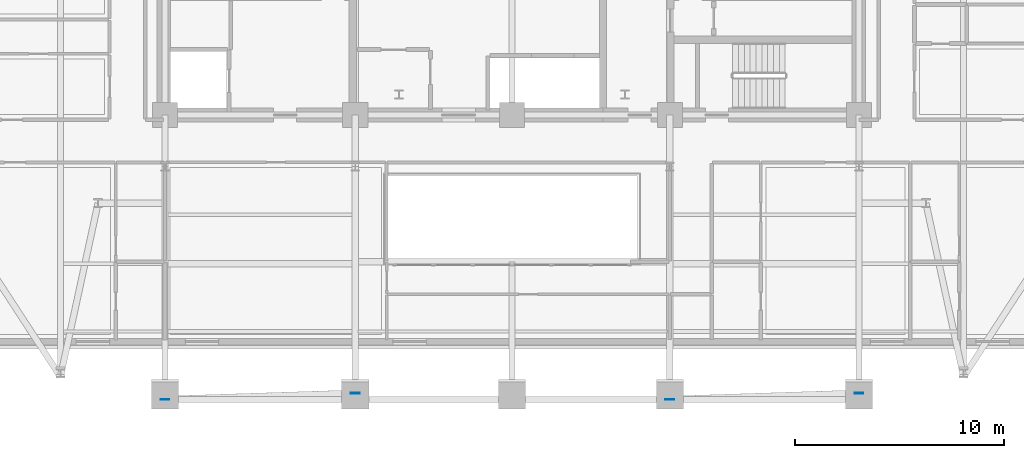
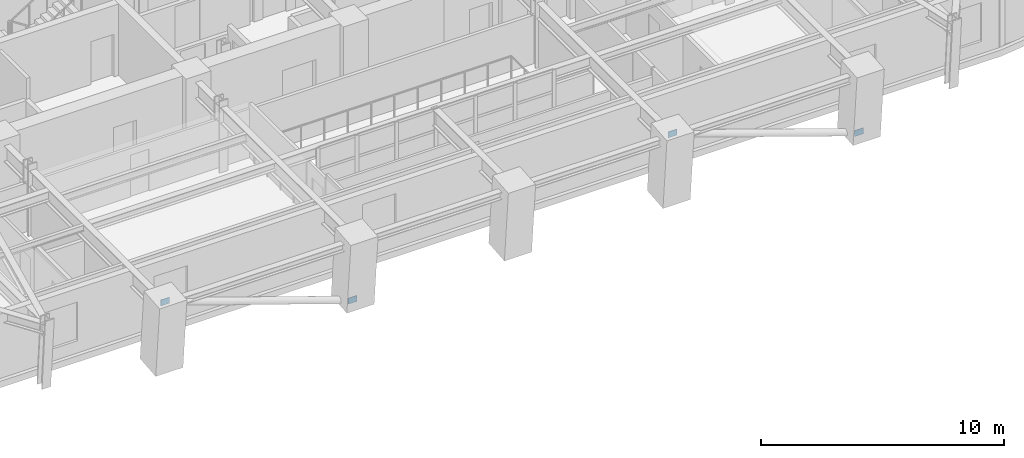
# One storey, part 6 of 14: 4 plates.
"""IFC4 building model written with IfcOpenShell, lengths in metres."""

from ifc_helpers import new_model, si_unit, direction, frame, origin, origin_2d, place, context, subcontext, project, spatial, rectangle, extrude, material, layer, layer_set, type_object, element, save


model = new_model("IFC4")

# Units and contexts
model_context = context("Model", 3, precision=1e-05, world=origin(), true_north=direction((0.0, 1.0)))
body_context = subcontext(model_context, "Body", "Model", "MODEL_VIEW")
ifc_project = project(units=[si_unit("LENGTHUNIT", "METRE"), si_unit("AREAUNIT", "SQUARE_METRE"), si_unit("VOLUMEUNIT", "CUBIC_METRE"), si_unit("PLANEANGLEUNIT", "RADIAN"), si_unit("MASSUNIT", "GRAM", prefix="KILO")], contexts=[model_context])

# Site, building, storey
site_placement = place(None, origin())
site = spatial("IfcSite", under=ifc_project, at=site_placement, CompositionType="ELEMENT")
building_placement = place(site_placement, origin())
building = spatial("IfcBuilding", under=site, at=building_placement, Name="Zarnavel Station Tower", CompositionType="ELEMENT")
storey_placement = place(building_placement, frame((0.0, 0.0, 129.300048828125)))
storey = spatial("IfcBuildingStorey", under=building, at=storey_placement, Name="L35", CompositionType="ELEMENT", Elevation=129.300048828125)

# Plates
ifc_material = material(Name="Steel S460M", Category="steel")
ifc_layer = layer(ifc_material, 0.02490234375)
ifc_layer_set = layer_set([ifc_layer], Name="GP_GUSSET_25")
plate_type = type_object("IfcPlateType", Name="GP_GUSSET_25", PredefinedType="USERDEFINED", material=ifc_layer_set)
for number, where, z_axis, x_axis, name in (
    (1, (21.300048828125, 14.5107421875, -0.14990234375), (0.0, 0.0, 1.0), (1.0, 0.0, 0.0), "L35 Exterior Diagonal Brace End Gusset 1-1"),
    (2, (12.199951171875, 14.213623046875, 3.1298828125), (0.0, 0.0, 1.0), (1.0, 0.0, 0.0), "L35 Exterior Diagonal Brace End Gusset 1-2"),
    (3, (45.39990234375, 14.5107421875, -0.14990234375), (0.0, 0.0, 1.0), (1.0, 0.0, 0.0), "L35 Exterior Diagonal Brace End Gusset 2-1"),
    (4, (36.35009765625, 14.213623046875, 3.1298828125), (0.0, 0.0, 1.0), (1.0, 0.0, 0.0), "L35 Exterior Diagonal Brace End Gusset 2-2"),
):
    element("IfcPlate", number, at=place(storey_placement, frame(where, z_axis=z_axis, x_axis=x_axis)), inside=storey, type_object=plate_type, Name=name, ObjectType="GUSSET_PLATE", PredefinedType="USERDEFINED", context=body_context, shape_type="SweptSolid", body=[
        extrude(rectangle(XDim=0.419921875, YDim=0.02490234375, at=origin_2d()), origin(), (0.0, 0.0, 1.0), 0.300048828125),
    ])

save(model, "model.ifc")
